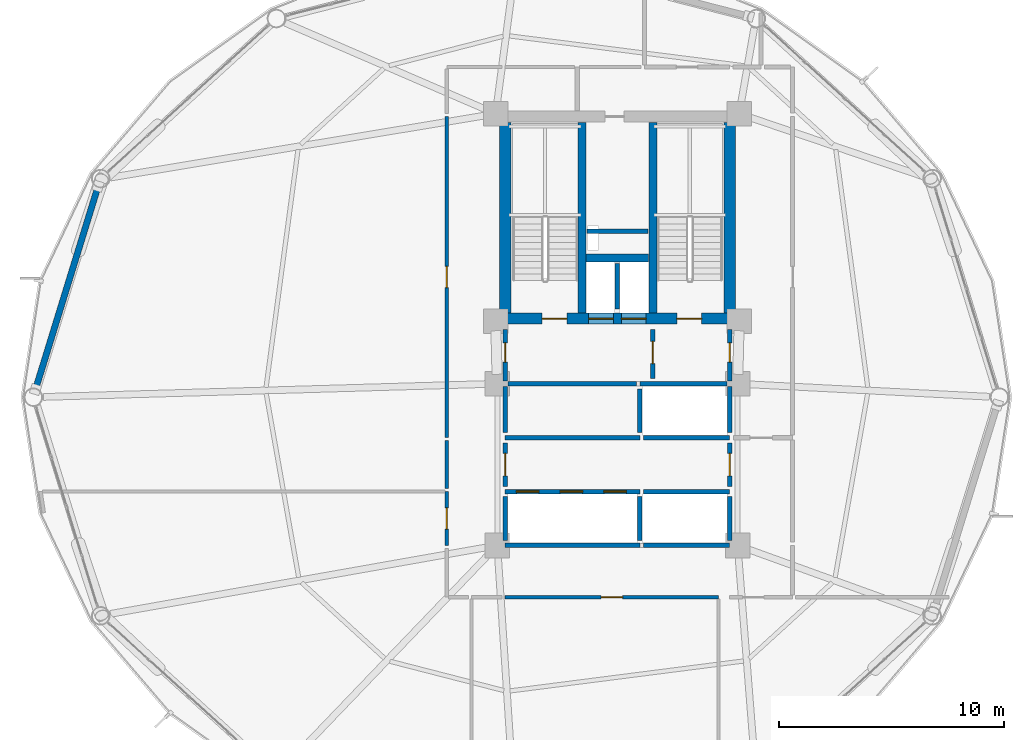
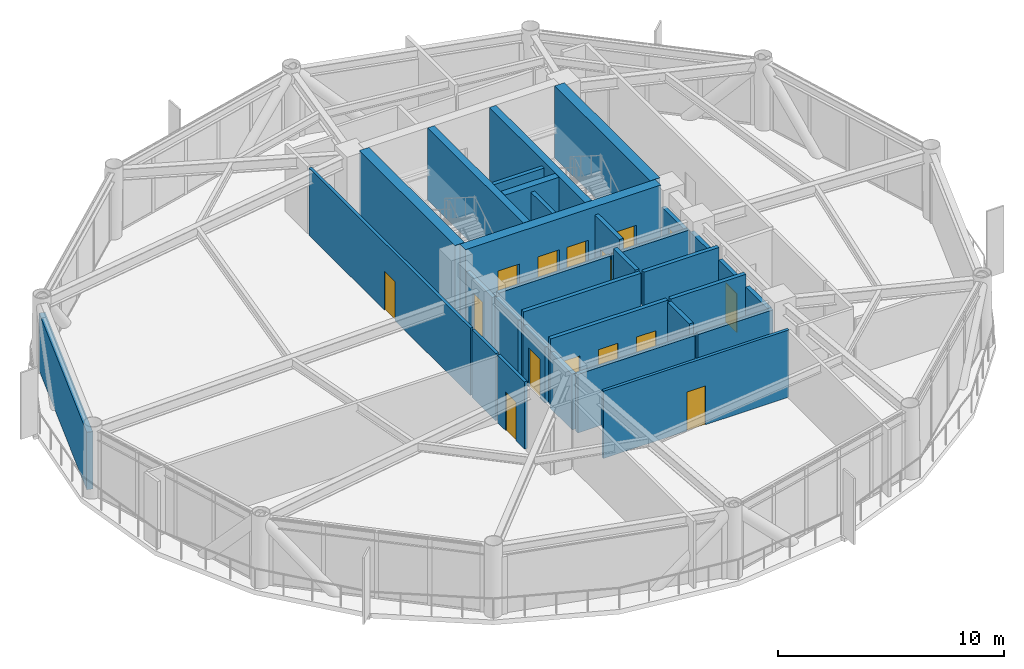
# One storey, part 19 of 23: 32 walls, 15 doors, 15 openings.
"""IFC4 building model written with IfcOpenShell, lengths in metres."""

from ifc_helpers import new_model, si_unit, direction, frame, frame_2d, origin, place, context, subcontext, project, spatial, rectangle, extrude, material, layer, layer_set, type_object, element, fill, save


model = new_model("IFC4")

# Units and contexts
model_context = context("Model", 3, precision=1e-05, world=origin(), true_north=direction((0.0, 1.0)))
body_context = subcontext(model_context, "Body", "Model", "MODEL_VIEW")
ifc_project = project(units=[si_unit("LENGTHUNIT", "METRE"), si_unit("AREAUNIT", "SQUARE_METRE"), si_unit("VOLUMEUNIT", "CUBIC_METRE"), si_unit("PLANEANGLEUNIT", "RADIAN"), si_unit("MASSUNIT", "GRAM", prefix="KILO")], contexts=[model_context])

# Site, building, storey
site_placement = place(None, origin())
site = spatial("IfcSite", under=ifc_project, at=site_placement, CompositionType="ELEMENT")
building_placement = place(site_placement, origin())
building = spatial("IfcBuilding", under=site, at=building_placement, Name="Varnakorn Sky Granary", CompositionType="ELEMENT")
storey_placement = place(building_placement, frame((0.0, 0.0, 107.10009765625)))
storey = spatial("IfcBuildingStorey", under=building, at=storey_placement, Name="L26", CompositionType="ELEMENT", Elevation=107.10009765625)

# Walls
ifc_material_1 = material(Name="Concrete C50/60", Category="concrete")
ifc_layer_1 = layer(ifc_material_1, 0.35009765625, Name="Concrete C50/60")
ifc_layer_set_1 = layer_set([ifc_layer_1], Name="Concrete C50/60")
wall_type_1 = type_object("IfcWallType", Name="WT-CW-INT-350", PredefinedType="SHEAR", material=ifc_layer_set_1)
for number, where, z_axis, x_axis, name in (
    (1, (1.419921875, 3.760009765625, 0.0), (0.0, 0.0, 1.0), (0.0, 1.0, 0.0), "Stair ST-1 Core Wall L26"),
    (2, (4.580078125, 3.760009765625, 0.0), (0.0, 0.0, 1.0), (0.0, 1.0, 0.0), "Stair ST-2 Core Wall L26"),
):
    element("IfcWall", number, at=place(storey_placement, frame(where, z_axis=z_axis, x_axis=x_axis)), inside=storey, type_object=wall_type_1, Name=name, PredefinedType="SHEAR", context=body_context, shape_type="SweptSolid", body=[
        extrude(rectangle(XDim=8.47998046875, YDim=0.35009765625, at=frame_2d((4.239990234375, 0.0))), origin(), (0.0, 0.0, 1.0), 3.891845703125),
    ])
wall_1_placement = place(storey_placement, frame((1.610107421875, 6.199951171875, 0.0), z_axis=(0.0, 0.0, 1.0), x_axis=(1.0, 0.0, 0.0)))
element("IfcWall", 3, at=wall_1_placement, inside=storey, type_object=wall_type_1, Name="Core Lift Shaft Cross Wall L26", PredefinedType="SHEAR", context=body_context, shape_type="SweptSolid", body=[
    extrude(rectangle(XDim=2.77978515625, YDim=0.35009765625, at=frame_2d((1.389892578125, 0.0))), origin(), (0.0, 0.0, 1.0), 3.891845703125),
])

# Wall, openings, doors
ifc_material_2 = material(Name="Concrete C60/75", Category="concrete")
ifc_layer_2 = layer(ifc_material_2, 0.5, Name="Concrete C60/75")
ifc_layer_set_2 = layer_set([ifc_layer_2], Name="Concrete C60/75")
wall_type_2 = type_object("IfcWallType", Name="WT-CW-SHEAR-500", PredefinedType="SHEAR", material=ifc_layer_set_2)
wall_2_placement = place(storey_placement, frame((-2.0, 3.5, 0.0), z_axis=(0.0, 0.0, 1.0), x_axis=(1.0, 0.0, 0.0)))
wall_2 = element("IfcWall", 4, at=wall_2_placement, inside=storey, type_object=wall_type_2, Name="Core South Shear Wall L26", PredefinedType="SHEAR", context=body_context, shape_type="SweptSolid", body=[
    extrude(rectangle(XDim=10.0, YDim=0.5, at=frame_2d((5.0, 0.0))), origin(), (0.0, 0.0, 1.0), 3.891845703125),
])
opening_1_placement = place(wall_2_placement, frame((1.64990234375, 0.0, 0.0)))
opening_1 = element("IfcOpeningElement", 5, at=opening_1_placement, cuts=wall_2, Name="Opening FD-90", PredefinedType="OPENING", context=body_context, shape_type="SweptSolid", body=[
    extrude(rectangle(XDim=1.10009765625, YDim=2.14990234375, at=frame_2d((0.550048828125, 1.074951171875))), frame((0.0, 0.260009765625, 0.0), z_axis=(0.0, -1.0, 0.0), x_axis=(1.0, 0.0, 0.0)), (0.0, 0.0, 1.0), 0.52001953125),
])
opening_2_placement = place(wall_2_placement, frame((7.64990234375, 0.0, 0.0)))
opening_2 = element("IfcOpeningElement", 6, at=opening_2_placement, cuts=wall_2, Name="Opening FD-90", PredefinedType="OPENING", context=body_context, shape_type="SweptSolid", body=[
    extrude(rectangle(XDim=1.10009765625, YDim=2.14990234375, at=frame_2d((0.550048828125, 1.074951171875))), frame((0.0, 0.260009765625, 0.0), z_axis=(0.0, -1.0, 0.0), x_axis=(1.0, 0.0, 0.0)), (0.0, 0.0, 1.0), 0.52001953125),
])
opening_3_placement = place(wall_2_placement, frame((3.719970703125, 0.0, 0.0)))
opening_3 = element("IfcOpeningElement", 7, at=opening_3_placement, cuts=wall_2, Name="Opening LD-01", PredefinedType="OPENING", context=body_context, shape_type="SweptSolid", body=[
    extrude(rectangle(XDim=1.10009765625, YDim=2.199951171875, at=frame_2d((0.550048828125, 1.10009765625))), frame((0.0, 0.260009765625, 0.0), z_axis=(0.0, -1.0, 0.0), x_axis=(1.0, 0.0, 0.0)), (0.0, 0.0, 1.0), 0.52001953125),
])
opening_4_placement = place(wall_2_placement, frame((5.179931640625, 0.0, 0.0)))
opening_4 = element("IfcOpeningElement", 8, at=opening_4_placement, cuts=wall_2, Name="Opening LD-01", PredefinedType="OPENING", context=body_context, shape_type="SweptSolid", body=[
    extrude(rectangle(XDim=1.10009765625, YDim=2.199951171875, at=frame_2d((0.550048828125, 1.10009765625))), frame((0.0, 0.260009765625, 0.0), z_axis=(0.0, -1.0, 0.0), x_axis=(1.0, 0.0, 0.0)), (0.0, 0.0, 1.0), 0.52001953125),
])
ifc_material_3 = material(Name="Brushed Bronze Stainless Steel", Category="steel")
door_type_1 = type_object("IfcDoorType", Name="DR-LD-1100", OperationType="DOUBLE_DOOR_SLIDING", PredefinedType="DOOR", material=ifc_material_3)
door_1_placement = place(opening_3_placement, origin())
door_1 = element("IfcDoor", 9, at=door_1_placement, inside=storey, type_object=door_type_1, Name="Firefighting Lift FFL-1 Landing Door L26", OperationType="DOUBLE_DOOR_SLIDING", OverallHeight=2.199951171875, OverallWidth=1.10009765625, PredefinedType="DOOR", context=body_context, shape_type="SweptSolid", body=[
    extrude(rectangle(XDim=1.10009765625, YDim=2.199951171875, at=frame_2d((0.550048828125, 1.10009765625))), frame((0.0, 0.02490234375, 0.0), z_axis=(0.0, -1.0, 0.0), x_axis=(1.0, 0.0, 0.0)), (0.0, 0.0, 1.0), 0.050048828125),
])
fill(opening_3, door_1)
door_2_placement = place(opening_4_placement, origin())
door_2 = element("IfcDoor", 10, at=door_2_placement, inside=storey, type_object=door_type_1, Name="Firefighting Lift FFL-2 Landing Door L26", OperationType="DOUBLE_DOOR_SLIDING", OverallHeight=2.199951171875, OverallWidth=1.10009765625, PredefinedType="DOOR", context=body_context, shape_type="SweptSolid", body=[
    extrude(rectangle(XDim=1.10009765625, YDim=2.199951171875, at=frame_2d((0.550048828125, 1.10009765625))), frame((0.0, 0.02490234375, 0.0), z_axis=(0.0, -1.0, 0.0), x_axis=(1.0, 0.0, 0.0)), (0.0, 0.0, 1.0), 0.050048828125),
])
fill(opening_4, door_2)
ifc_material_4 = material(Name="Galvanised Painted Steel Leaf", Category="steel")
door_type_2 = type_object("IfcDoorType", Name="DR-STAIR-1100", OperationType="NOTDEFINED", PredefinedType="DOOR", material=ifc_material_4)
door_3_placement = place(opening_1_placement, origin())
door_3 = element("IfcDoor", 11, at=door_3_placement, inside=storey, type_object=door_type_2, Name="Stair ST-1 Protected Fire Door L26", OperationType="SINGLE_SWING_LEFT", OverallHeight=2.14990234375, OverallWidth=1.10009765625, PredefinedType="DOOR", context=body_context, shape_type="SweptSolid", body=[
    extrude(rectangle(XDim=1.10009765625, YDim=2.14990234375, at=frame_2d((0.550048828125, 1.074951171875))), frame((0.0, 0.02490234375, 0.0), z_axis=(0.0, -1.0, 0.0), x_axis=(1.0, 0.0, 0.0)), (0.0, 0.0, 1.0), 0.050048828125),
])
fill(opening_1, door_3)
door_4_placement = place(opening_2_placement, origin())
door_4 = element("IfcDoor", 12, at=door_4_placement, inside=storey, type_object=door_type_2, Name="Stair ST-2 Protected Fire Door L26", OperationType="SINGLE_SWING_RIGHT", OverallHeight=2.14990234375, OverallWidth=1.10009765625, PredefinedType="DOOR", context=body_context, shape_type="SweptSolid", body=[
    extrude(rectangle(XDim=1.10009765625, YDim=2.14990234375, at=frame_2d((0.550048828125, 1.074951171875))), frame((0.0, 0.02490234375, 0.0), z_axis=(0.0, -1.0, 0.0), x_axis=(1.0, 0.0, 0.0)), (0.0, 0.0, 1.0), 0.050048828125),
])
fill(opening_2, door_4)

# Walls
for number, where, z_axis, x_axis, name in (
    (13, (-2.0, 3.760009765625, 0.0), (0.0, 0.0, 1.0), (0.0, 1.0, 0.0), "Core West Shear Wall L26"),
    (14, (8.0, 3.760009765625, 0.0), (0.0, 0.0, 1.0), (0.0, 1.0, 0.0), "Core East Shear Wall L26"),
):
    element("IfcWall", number, at=place(storey_placement, frame(where, z_axis=z_axis, x_axis=x_axis)), inside=storey, type_object=wall_type_2, Name=name, PredefinedType="SHEAR", context=body_context, shape_type="SweptSolid", body=[
        extrude(rectangle(XDim=8.47998046875, YDim=0.5, at=frame_2d((4.239990234375, 0.0))), origin(), (0.0, 0.0, 1.0), 3.891845703125),
    ])
ifc_material_5 = material(Name="Precast concrete C40/50", Category="concrete")
ifc_layer_3 = layer(ifc_material_5, 0.280029296875, Name="Precast concrete C40/50")
ifc_layer_set_3 = layer_set([ifc_layer_3], Name="Precast concrete C40/50")
wall_type_3 = type_object("IfcWallType", Name="WT-EW-CRN-280", PredefinedType="SOLIDWALL", material=ifc_layer_set_3)
wall_3_placement = place(storey_placement, frame((-22.91064453125, 0.345458984375, 0.0), z_axis=(0.0, 0.0, 1.0), x_axis=(0.294373967966, 0.95569030914, 0.0)))
element("IfcWall", 15, at=wall_3_placement, inside=storey, type_object=wall_type_3, Name="Agritech Insulated Precast Facade Wall L26-P06", PredefinedType="SOLIDWALL", context=body_context, shape_type="SweptSolid", body=[
    extrude(rectangle(XDim=9.467041015625, YDim=0.280029296875, at=frame_2d((4.7333984375, 0.0))), origin(), (0.0, 0.0, 1.0), 3.10986328125),
])

# Wall, opening, door
ifc_material_6 = material(Name="Autoclaved Aerated Concrete Blockwork", Category="masonry")
ifc_layer_4 = layer(ifc_material_6, 0.199951171875, Name="Autoclaved Aerated Concrete Blockwork")
ifc_layer_set_4 = layer_set([ifc_layer_4], Name="Autoclaved Aerated Concrete Blockwork")
wall_type_4 = type_object("IfcWallType", Name="WT-FIRE-200", PredefinedType="MOVABLE", material=ifc_layer_set_4)
wall_4_placement = place(storey_placement, frame((4.580078125, 0.830078125, 0.0), z_axis=(0.0, 0.0, 1.0), x_axis=(0.0, 1.0, 0.0)))
wall_4 = element("IfcWall", 16, at=wall_4_placement, inside=storey, type_object=wall_type_4, Name="Interior Partition Wall L26-016", PredefinedType="MOVABLE", context=body_context, shape_type="SweptSolid", body=[
    extrude(rectangle(XDim=2.18994140625, YDim=0.199951171875, at=frame_2d((1.094970703125, 0.0))), origin(), (0.0, 0.0, 1.0), 3.639892578125),
])
opening_5_placement = place(wall_4_placement, frame((0.659912109375, 0.0, 0.0)))
opening_5 = element("IfcOpeningElement", 17, at=opening_5_placement, cuts=wall_4, Name="Opening FD-60", PredefinedType="OPENING", context=body_context, shape_type="SweptSolid", body=[
    extrude(rectangle(XDim=1.0, YDim=2.10009765625, at=frame_2d((0.5, 1.050048828125))), frame((0.0, 0.10986328125, 0.0), z_axis=(0.0, -1.0, 0.0), x_axis=(1.0, 0.0, 0.0)), (0.0, 0.0, 1.0), 0.219970703125),
])
ifc_material_7 = material(Name="Acoustic Timber Fire Leaf", Category="wood")
door_type_3 = type_object("IfcDoorType", Name="DR-FD60-1000", OperationType="NOTDEFINED", PredefinedType="DOOR", material=ifc_material_7)
door_5_placement = place(opening_5_placement, origin())
door_5 = element("IfcDoor", 18, at=door_5_placement, inside=storey, type_object=door_type_3, Name="Interior Door L26-016-1", OperationType="SINGLE_SWING_RIGHT", OverallHeight=2.10009765625, OverallWidth=1.0, PredefinedType="DOOR", context=body_context, shape_type="SweptSolid", body=[
    extrude(rectangle(XDim=1.0, YDim=2.10009765625, at=frame_2d((0.5, 1.050048828125))), frame((0.0, 0.02490234375, 0.0), z_axis=(0.0, -1.0, 0.0), x_axis=(1.0, 0.0, 0.0)), (0.0, 0.0, 1.0), 0.050048828125),
])
fill(opening_5, door_5)

wall_5_placement = place(storey_placement, frame((-2.0, 0.719970703125, 0.0), z_axis=(0.0, 0.0, 1.0), x_axis=(0.0, 1.0, 0.0)))
wall_5 = element("IfcWall", 19, at=wall_5_placement, inside=storey, type_object=wall_type_4, Name="Interior Partition Wall L26-017", PredefinedType="MOVABLE", context=body_context, shape_type="SweptSolid", body=[
    extrude(rectangle(XDim=2.300048828125, YDim=0.199951171875, at=frame_2d((1.14990234375, 0.0))), origin(), (0.0, 0.0, 1.0), 2.871826171875),
])
opening_6_placement = place(wall_5_placement, frame((0.844970703125, 0.0, 0.0)))
opening_6 = element("IfcOpeningElement", 20, at=opening_6_placement, cuts=wall_5, Name="Opening FD-60N", PredefinedType="OPENING", context=body_context, shape_type="SweptSolid", body=[
    extrude(rectangle(XDim=0.85009765625, YDim=2.10009765625, at=frame_2d((0.425048828125, 1.050048828125))), frame((0.0, 0.10986328125, 0.0), z_axis=(0.0, -1.0, 0.0), x_axis=(1.0, 0.0, 0.0)), (0.0, 0.0, 1.0), 0.219970703125),
])
door_type_4 = type_object("IfcDoorType", Name="DR-FD60-850", OperationType="NOTDEFINED", PredefinedType="DOOR", material=ifc_material_7)
door_6_placement = place(opening_6_placement, origin())
door_6 = element("IfcDoor", 21, at=door_6_placement, inside=storey, type_object=door_type_4, Name="Interior Door L26-017-1", OperationType="SINGLE_SWING_LEFT", OverallHeight=2.10009765625, OverallWidth=0.85009765625, PredefinedType="DOOR", context=body_context, shape_type="SweptSolid", body=[
    extrude(rectangle(XDim=0.85009765625, YDim=2.10009765625, at=frame_2d((0.425048828125, 1.050048828125))), frame((0.0, 0.02490234375, 0.0), z_axis=(0.0, -1.0, 0.0), x_axis=(1.0, 0.0, 0.0)), (0.0, 0.0, 1.0), 0.050048828125),
])
fill(opening_6, door_6)

wall_6_placement = place(storey_placement, frame((8.0, 0.719970703125, 0.0), z_axis=(0.0, 0.0, 1.0), x_axis=(0.0, 1.0, 0.0)))
wall_6 = element("IfcWall", 22, at=wall_6_placement, inside=storey, type_object=wall_type_4, Name="Interior Partition Wall L26-018", PredefinedType="MOVABLE", context=body_context, shape_type="SweptSolid", body=[
    extrude(rectangle(XDim=2.300048828125, YDim=0.199951171875, at=frame_2d((1.14990234375, 0.0))), origin(), (0.0, 0.0, 1.0), 2.871826171875),
])
opening_7_placement = place(wall_6_placement, frame((0.844970703125, 0.0, 0.0)))
opening_7 = element("IfcOpeningElement", 23, at=opening_7_placement, cuts=wall_6, Name="Opening FD-60N", PredefinedType="OPENING", context=body_context, shape_type="SweptSolid", body=[
    extrude(rectangle(XDim=0.85009765625, YDim=2.10009765625, at=frame_2d((0.425048828125, 1.050048828125))), frame((0.0, 0.10986328125, 0.0), z_axis=(0.0, -1.0, 0.0), x_axis=(1.0, 0.0, 0.0)), (0.0, 0.0, 1.0), 0.219970703125),
])
door_7_placement = place(opening_7_placement, origin())
door_7 = element("IfcDoor", 24, at=door_7_placement, inside=storey, type_object=door_type_4, Name="Interior Door L26-018-1", OperationType="SINGLE_SWING_RIGHT", OverallHeight=2.10009765625, OverallWidth=0.85009765625, PredefinedType="DOOR", context=body_context, shape_type="SweptSolid", body=[
    extrude(rectangle(XDim=0.85009765625, YDim=2.10009765625, at=frame_2d((0.425048828125, 1.050048828125))), frame((0.0, 0.02490234375, 0.0), z_axis=(0.0, -1.0, 0.0), x_axis=(1.0, 0.0, 0.0)), (0.0, 0.0, 1.0), 0.050048828125),
])
fill(opening_7, door_7)

wall_7_placement = place(storey_placement, frame((-2.0, -3.969970703125, 0.0), z_axis=(0.0, 0.0, 1.0), x_axis=(0.0, 1.0, 0.0)))
wall_7 = element("IfcWall", 25, at=wall_7_placement, inside=storey, type_object=wall_type_4, Name="Interior Partition Wall L26-019", PredefinedType="MOVABLE", context=body_context, shape_type="SweptSolid", body=[
    extrude(rectangle(XDim=1.93994140625, YDim=0.199951171875, at=frame_2d((0.969970703125, 0.0))), origin(), (0.0, 0.0, 1.0), 3.02197265625),
])
opening_8_placement = place(wall_7_placement, frame((0.469970703125, 0.0, 0.0)))
opening_8 = element("IfcOpeningElement", 26, at=opening_8_placement, cuts=wall_7, Name="Opening FD-60", PredefinedType="OPENING", context=body_context, shape_type="SweptSolid", body=[
    extrude(rectangle(XDim=1.0, YDim=2.10009765625, at=frame_2d((0.5, 1.050048828125))), frame((0.0, 0.10986328125, 0.0), z_axis=(0.0, -1.0, 0.0), x_axis=(1.0, 0.0, 0.0)), (0.0, 0.0, 1.0), 0.219970703125),
])
door_8_placement = place(opening_8_placement, origin())
door_8 = element("IfcDoor", 27, at=door_8_placement, inside=storey, type_object=door_type_3, Name="Interior Door L26-019-1", OperationType="SINGLE_SWING_LEFT", OverallHeight=2.10009765625, OverallWidth=1.0, PredefinedType="DOOR", context=body_context, shape_type="SweptSolid", body=[
    extrude(rectangle(XDim=1.0, YDim=2.10009765625, at=frame_2d((0.5, 1.050048828125))), frame((0.0, 0.02490234375, 0.0), z_axis=(0.0, -1.0, 0.0), x_axis=(1.0, 0.0, 0.0)), (0.0, 0.0, 1.0), 0.050048828125),
])
fill(opening_8, door_8)

wall_8_placement = place(storey_placement, frame((8.0, -3.969970703125, 0.0), z_axis=(0.0, 0.0, 1.0), x_axis=(0.0, 1.0, 0.0)))
wall_8 = element("IfcWall", 28, at=wall_8_placement, inside=storey, type_object=wall_type_4, Name="Interior Partition Wall L26-020", PredefinedType="MOVABLE", context=body_context, shape_type="SweptSolid", body=[
    extrude(rectangle(XDim=1.93994140625, YDim=0.199951171875, at=frame_2d((0.969970703125, 0.0))), origin(), (0.0, 0.0, 1.0), 3.072021484375),
])
opening_9_placement = place(wall_8_placement, frame((0.469970703125, 0.0, 0.0)))
opening_9 = element("IfcOpeningElement", 29, at=opening_9_placement, cuts=wall_8, Name="Opening FD-60", PredefinedType="OPENING", context=body_context, shape_type="SweptSolid", body=[
    extrude(rectangle(XDim=1.0, YDim=2.10009765625, at=frame_2d((0.5, 1.050048828125))), frame((0.0, 0.10986328125, 0.0), z_axis=(0.0, -1.0, 0.0), x_axis=(1.0, 0.0, 0.0)), (0.0, 0.0, 1.0), 0.219970703125),
])
door_9_placement = place(opening_9_placement, origin())
door_9 = element("IfcDoor", 30, at=door_9_placement, inside=storey, type_object=door_type_3, Name="Interior Door L26-020-1", OperationType="SINGLE_SWING_RIGHT", OverallHeight=2.10009765625, OverallWidth=1.0, PredefinedType="DOOR", context=body_context, shape_type="SweptSolid", body=[
    extrude(rectangle(XDim=1.0, YDim=2.10009765625, at=frame_2d((0.5, 1.050048828125))), frame((0.0, 0.02490234375, 0.0), z_axis=(0.0, -1.0, 0.0), x_axis=(1.0, 0.0, 0.0)), (0.0, 0.0, 1.0), 0.050048828125),
])
fill(opening_9, door_9)

# Wall
wall_9_placement = place(storey_placement, frame((-1.8798828125, 0.60009765625, 0.0), z_axis=(0.0, 0.0, 1.0), x_axis=(1.0, 0.0, 0.0)))
element("IfcWall", 31, at=wall_9_placement, inside=storey, type_object=wall_type_4, Name="Interior Partition Wall L26-028", PredefinedType="MOVABLE", context=body_context, shape_type="SweptSolid", body=[
    extrude(rectangle(XDim=5.719970703125, YDim=0.199951171875, at=frame_2d((2.85986328125, 0.0))), origin(), (0.0, 0.0, 1.0), 3.171875),
])

# Wall, opening, door
ifc_material_8 = material(Name="Gypsum Plasterboard on Steel Stud", Category="steel")
ifc_layer_5 = layer(ifc_material_8, 0.14990234375, Name="Gypsum Plasterboard on Steel Stud")
ifc_layer_set_5 = layer_set([ifc_layer_5], Name="Gypsum Plasterboard on Steel Stud")
wall_type_5 = type_object("IfcWallType", Name="WT-PART-150", PredefinedType="PARTITIONING", material=ifc_layer_set_5)
wall_10_placement = place(storey_placement, frame((-2.0, -8.89990234375, 0.0), z_axis=(0.0, 0.0, 1.0), x_axis=(1.0, 0.0, 0.0)))
wall_10 = element("IfcWall", 32, at=wall_10_placement, inside=storey, type_object=wall_type_5, Name="Interior Partition Wall L26-023", PredefinedType="PARTITIONING", context=body_context, shape_type="SweptSolid", body=[
    extrude(rectangle(XDim=9.5, YDim=0.14990234375, at=frame_2d((4.75, 0.0))), origin(), (0.0, 0.0, 1.0), 3.639892578125),
])
opening_10_placement = place(wall_10_placement, frame((4.27490234375, 0.0, 0.0)))
opening_10 = element("IfcOpeningElement", 33, at=opening_10_placement, cuts=wall_10, Name="Opening ID-95", PredefinedType="OPENING", context=body_context, shape_type="SweptSolid", body=[
    extrude(rectangle(XDim=0.949951171875, YDim=2.10009765625, at=frame_2d((0.47509765625, 1.050048828125))), frame((0.0, 0.0849609375, 0.0), z_axis=(0.0, -1.0, 0.0), x_axis=(1.0, 0.0, 0.0)), (0.0, 0.0, 1.0), 0.169921875),
])
ifc_material_9 = material(Name="Solid-Core Teak Veneer Leaf", Category="timber")
door_type_5 = type_object("IfcDoorType", Name="DR-INT-950", OperationType="NOTDEFINED", PredefinedType="DOOR", material=ifc_material_9)
door_10_placement = place(opening_10_placement, origin())
door_10 = element("IfcDoor", 34, at=door_10_placement, inside=storey, type_object=door_type_5, Name="Interior Door L26-023-1", OperationType="SINGLE_SWING_LEFT", OverallHeight=2.10009765625, OverallWidth=0.949951171875, PredefinedType="DOOR", context=body_context, shape_type="SweptSolid", body=[
    extrude(rectangle(XDim=0.949951171875, YDim=2.10009765625, at=frame_2d((0.47509765625, 1.050048828125))), frame((0.0, 0.02490234375, 0.0), z_axis=(0.0, -1.0, 0.0), x_axis=(1.0, 0.0, 0.0)), (0.0, 0.0, 1.0), 0.050048828125),
])
fill(opening_10, door_10)

wall_11_placement = place(storey_placement, frame((-4.60009765625, -4.199951171875, 0.0), z_axis=(0.0, 0.0, 1.0), x_axis=(0.0, -1.0, 0.0)))
wall_11 = element("IfcWall", 35, at=wall_11_placement, inside=storey, type_object=wall_type_5, Name="Interior Partition Wall L26-025", PredefinedType="PARTITIONING", context=body_context, shape_type="SweptSolid", body=[
    extrude(rectangle(XDim=2.400146484375, YDim=0.14990234375, at=frame_2d((1.2001953125, 0.0))), origin(), (0.0, 0.0, 1.0), 3.639892578125),
])
opening_11_placement = place(wall_11_placement, frame((0.72509765625, 0.0, 0.0)))
opening_11 = element("IfcOpeningElement", 36, at=opening_11_placement, cuts=wall_11, Name="Opening ID-95", PredefinedType="OPENING", context=body_context, shape_type="SweptSolid", body=[
    extrude(rectangle(XDim=0.949951171875, YDim=2.10009765625, at=frame_2d((0.47509765625, 1.050048828125))), frame((0.0, 0.0849609375, 0.0), z_axis=(0.0, -1.0, 0.0), x_axis=(1.0, 0.0, 0.0)), (0.0, 0.0, 1.0), 0.169921875),
])
door_11_placement = place(opening_11_placement, origin())
door_11 = element("IfcDoor", 37, at=door_11_placement, inside=storey, type_object=door_type_5, Name="Interior Door L26-025-1", OperationType="SINGLE_SWING_LEFT", OverallHeight=2.10009765625, OverallWidth=0.949951171875, PredefinedType="DOOR", context=body_context, shape_type="SweptSolid", body=[
    extrude(rectangle(XDim=0.949951171875, YDim=2.10009765625, at=frame_2d((0.47509765625, 1.050048828125))), frame((0.0, 0.02490234375, 0.0), z_axis=(0.0, -1.0, 0.0), x_axis=(1.0, 0.0, 0.0)), (0.0, 0.0, 1.0), 0.050048828125),
])
fill(opening_11, door_11)

wall_12_placement = place(storey_placement, frame((-4.60009765625, 12.5, 0.0), z_axis=(0.0, 0.0, 1.0), x_axis=(0.0, -1.0, 0.0)))
wall_12 = element("IfcWall", 38, at=wall_12_placement, inside=storey, type_object=wall_type_5, Name="Interior Partition Wall L26-026", PredefinedType="PARTITIONING", context=body_context, shape_type="SweptSolid", body=[
    extrude(rectangle(XDim=14.300048828125, YDim=0.14990234375, at=frame_2d((7.14990234375, 0.0))), origin(), (0.0, 0.0, 1.0), 3.639892578125),
])
opening_12_placement = place(wall_12_placement, frame((6.675048828125, 0.0, 0.0)))
opening_12 = element("IfcOpeningElement", 39, at=opening_12_placement, cuts=wall_12, Name="Opening ID-95", PredefinedType="OPENING", context=body_context, shape_type="SweptSolid", body=[
    extrude(rectangle(XDim=0.949951171875, YDim=2.10009765625, at=frame_2d((0.47509765625, 1.050048828125))), frame((0.0, 0.0849609375, 0.0), z_axis=(0.0, -1.0, 0.0), x_axis=(1.0, 0.0, 0.0)), (0.0, 0.0, 1.0), 0.169921875),
])
door_12_placement = place(opening_12_placement, origin())
door_12 = element("IfcDoor", 40, at=door_12_placement, inside=storey, type_object=door_type_5, Name="Interior Door L26-026-1", OperationType="SINGLE_SWING_RIGHT", OverallHeight=2.10009765625, OverallWidth=0.949951171875, PredefinedType="DOOR", context=body_context, shape_type="SweptSolid", body=[
    extrude(rectangle(XDim=0.949951171875, YDim=2.10009765625, at=frame_2d((0.47509765625, 1.050048828125))), frame((0.0, 0.02490234375, 0.0), z_axis=(0.0, -1.0, 0.0), x_axis=(1.0, 0.0, 0.0)), (0.0, 0.0, 1.0), 0.050048828125),
])
fill(opening_12, door_12)

# Walls
wall_13_placement = place(storey_placement, frame((-4.60009765625, -1.93505859375, 0.0), z_axis=(0.0, 0.0, 1.0), x_axis=(0.0, -1.0, 0.0)))
element("IfcWall", 41, at=wall_13_placement, inside=storey, type_object=wall_type_5, Name="Interior Partition Wall L26-041", PredefinedType="PARTITIONING", context=body_context, shape_type="SweptSolid", body=[
    extrude(rectangle(XDim=2.1298828125, YDim=0.14990234375, at=frame_2d((1.06494140625, 0.0))), origin(), (0.0, 0.0, 1.0), 3.639892578125),
])
ifc_layer_6 = layer(ifc_material_6, 0.199951171875, Name="Autoclaved Aerated Concrete Blockwork")
ifc_layer_set_6 = layer_set([ifc_layer_6], Name="Autoclaved Aerated Concrete Blockwork")
wall_type_6 = type_object("IfcWallType", Name="WT-SHAFT-200", PredefinedType="SOLIDWALL", material=ifc_layer_set_6)
wall_14_placement = place(storey_placement, frame((3.0, 3.919921875, 0.0), z_axis=(0.0, 0.0, 1.0), x_axis=(0.0, 1.0, 0.0)))
element("IfcWall", 42, at=wall_14_placement, inside=storey, type_object=wall_type_6, Name="Interior Partition Wall L26-001", PredefinedType="SOLIDWALL", context=body_context, shape_type="SweptSolid", body=[
    extrude(rectangle(XDim=2.030029296875, YDim=0.199951171875, at=frame_2d((1.01513671875, 0.0))), origin(), (0.0, 0.0, 1.0), 3.639892578125),
])
wall_15_placement = place(storey_placement, frame((1.64990234375, 7.3798828125, 0.0), z_axis=(0.0, 0.0, 1.0), x_axis=(1.0, 0.0, 0.0)))
element("IfcWall", 43, at=wall_15_placement, inside=storey, type_object=wall_type_6, Name="Interior Partition Wall L26-002", PredefinedType="SOLIDWALL", context=body_context, shape_type="SweptSolid", body=[
    extrude(rectangle(XDim=2.7001953125, YDim=0.199951171875, at=frame_2d((1.35009765625, 0.0))), origin(), (0.0, 0.0, 1.0), 3.639892578125),
])
wall_16_placement = place(storey_placement, frame((4.0, 0.60009765625, 0.0), z_axis=(0.0, 0.0, 1.0), x_axis=(1.0, 0.0, 0.0)))
element("IfcWall", 44, at=wall_16_placement, inside=storey, type_object=wall_type_6, Name="Interior Partition Wall L26-003", PredefinedType="SOLIDWALL", context=body_context, shape_type="SweptSolid", body=[
    extrude(rectangle(XDim=3.8798828125, YDim=0.199951171875, at=frame_2d((1.93994140625, 0.0))), origin(), (0.0, 0.0, 1.0), 3.171875),
])
wall_17_placement = place(storey_placement, frame((-2.0, -1.800048828125, 0.0), z_axis=(0.0, 0.0, 1.0), x_axis=(1.0, 0.0, 0.0)))
element("IfcWall", 45, at=wall_17_placement, inside=storey, type_object=wall_type_6, Name="Interior Partition Wall L26-004", PredefinedType="SOLIDWALL", context=body_context, shape_type="SweptSolid", body=[
    extrude(rectangle(XDim=6.0, YDim=0.199951171875, at=frame_2d((3.0, 0.0))), origin(), (0.0, 0.0, 1.0), 3.639892578125),
])
wall_18_placement = place(storey_placement, frame((-2.0, -1.570068359375, 0.0), z_axis=(0.0, 0.0, 1.0), x_axis=(0.0, 1.0, 0.0)))
element("IfcWall", 46, at=wall_18_placement, inside=storey, type_object=wall_type_6, Name="Interior Partition Wall L26-005", PredefinedType="SOLIDWALL", context=body_context, shape_type="SweptSolid", body=[
    extrude(rectangle(XDim=2.050048828125, YDim=0.199951171875, at=frame_2d((1.02490234375, 0.0))), origin(), (0.0, 0.0, 1.0), 3.02197265625),
])
wall_19_placement = place(storey_placement, frame((4.159912109375, -1.800048828125, 0.0), z_axis=(0.0, 0.0, 1.0), x_axis=(1.0, 0.0, 0.0)))
element("IfcWall", 47, at=wall_19_placement, inside=storey, type_object=wall_type_6, Name="Interior Partition Wall L26-006", PredefinedType="SOLIDWALL", context=body_context, shape_type="SweptSolid", body=[
    extrude(rectangle(XDim=3.840087890625, YDim=0.199951171875, at=frame_2d((1.919921875, 0.0))), origin(), (0.0, 0.0, 1.0), 3.639892578125),
])
wall_20_placement = place(storey_placement, frame((4.0, -1.570068359375, 0.0), z_axis=(0.0, 0.0, 1.0), x_axis=(0.0, 1.0, 0.0)))
element("IfcWall", 48, at=wall_20_placement, inside=storey, type_object=wall_type_6, Name="Interior Partition Wall L26-007", PredefinedType="SOLIDWALL", context=body_context, shape_type="SweptSolid", body=[
    extrude(rectangle(XDim=1.940185546875, YDim=0.199951171875, at=frame_2d((0.97021484375, 0.0))), origin(), (0.0, 0.0, 1.0), 3.639892578125),
])
wall_21_placement = place(storey_placement, frame((8.0, -1.570068359375, 0.0), z_axis=(0.0, 0.0, 1.0), x_axis=(0.0, 1.0, 0.0)))
element("IfcWall", 49, at=wall_21_placement, inside=storey, type_object=wall_type_6, Name="Interior Partition Wall L26-008", PredefinedType="SOLIDWALL", context=body_context, shape_type="SweptSolid", body=[
    extrude(rectangle(XDim=2.050048828125, YDim=0.199951171875, at=frame_2d((1.02490234375, 0.0))), origin(), (0.0, 0.0, 1.0), 3.072021484375),
])

# Wall, openings, doors
wall_22_placement = place(storey_placement, frame((-2.0, -4.199951171875, 0.0), z_axis=(0.0, 0.0, 1.0), x_axis=(1.0, 0.0, 0.0)))
wall_22 = element("IfcWall", 50, at=wall_22_placement, inside=storey, type_object=wall_type_6, Name="Interior Partition Wall L26-009", PredefinedType="SOLIDWALL", context=body_context, shape_type="SweptSolid", body=[
    extrude(rectangle(XDim=6.0, YDim=0.199951171875, at=frame_2d((3.0, 0.0))), origin(), (0.0, 0.0, 1.0), 3.639892578125),
])
opening_13_placement = place(wall_22_placement, frame((0.5, 0.0, 0.0)))
opening_13 = element("IfcOpeningElement", 51, at=opening_13_placement, cuts=wall_22, Name="Opening LD-03", PredefinedType="OPENING", context=body_context, shape_type="SweptSolid", body=[
    extrude(rectangle(XDim=1.0, YDim=2.199951171875, at=frame_2d((0.5, 1.10009765625))), frame((0.0, 0.10986328125, 0.0), z_axis=(0.0, -1.0, 0.0), x_axis=(1.0, 0.0, 0.0)), (0.0, 0.0, 1.0), 0.219970703125),
])
opening_14_placement = place(wall_22_placement, frame((2.449951171875, 0.0, 0.0)))
opening_14 = element("IfcOpeningElement", 52, at=opening_14_placement, cuts=wall_22, Name="Opening LD-03", PredefinedType="OPENING", context=body_context, shape_type="SweptSolid", body=[
    extrude(rectangle(XDim=1.0, YDim=2.199951171875, at=frame_2d((0.5, 1.10009765625))), frame((0.0, 0.10986328125, 0.0), z_axis=(0.0, -1.0, 0.0), x_axis=(1.0, 0.0, 0.0)), (0.0, 0.0, 1.0), 0.219970703125),
])
opening_15_placement = place(wall_22_placement, frame((4.39990234375, 0.0, 0.0)))
opening_15 = element("IfcOpeningElement", 53, at=opening_15_placement, cuts=wall_22, Name="Opening LD-03", PredefinedType="OPENING", context=body_context, shape_type="SweptSolid", body=[
    extrude(rectangle(XDim=1.0, YDim=2.199951171875, at=frame_2d((0.5, 1.10009765625))), frame((0.0, 0.10986328125, 0.0), z_axis=(0.0, -1.0, 0.0), x_axis=(1.0, 0.0, 0.0)), (0.0, 0.0, 1.0), 0.219970703125),
])
door_type_6 = type_object("IfcDoorType", Name="DR-LD-1000", OperationType="DOUBLE_DOOR_SLIDING", PredefinedType="DOOR", material=ifc_material_3)
door_13_placement = place(opening_13_placement, origin())
door_13 = element("IfcDoor", 54, at=door_13_placement, inside=storey, type_object=door_type_6, Name="Passenger Lift PL-M1 Sliding Landing Door L26", OperationType="DOUBLE_DOOR_SLIDING", OverallHeight=2.199951171875, OverallWidth=1.0, PredefinedType="DOOR", context=body_context, shape_type="SweptSolid", body=[
    extrude(rectangle(XDim=1.0, YDim=2.199951171875, at=frame_2d((0.5, 1.10009765625))), frame((0.0, 0.02490234375, 0.0), z_axis=(0.0, -1.0, 0.0), x_axis=(1.0, 0.0, 0.0)), (0.0, 0.0, 1.0), 0.050048828125),
])
fill(opening_13, door_13)
door_14_placement = place(opening_14_placement, origin())
door_14 = element("IfcDoor", 55, at=door_14_placement, inside=storey, type_object=door_type_6, Name="Passenger Lift PL-M2 Sliding Landing Door L26", OperationType="DOUBLE_DOOR_SLIDING", OverallHeight=2.199951171875, OverallWidth=1.0, PredefinedType="DOOR", context=body_context, shape_type="SweptSolid", body=[
    extrude(rectangle(XDim=1.0, YDim=2.199951171875, at=frame_2d((0.5, 1.10009765625))), frame((0.0, 0.02490234375, 0.0), z_axis=(0.0, -1.0, 0.0), x_axis=(1.0, 0.0, 0.0)), (0.0, 0.0, 1.0), 0.050048828125),
])
fill(opening_14, door_14)
door_15_placement = place(opening_15_placement, origin())
door_15 = element("IfcDoor", 56, at=door_15_placement, inside=storey, type_object=door_type_6, Name="Passenger Lift PL-M3 Sliding Landing Door L26", OperationType="DOUBLE_DOOR_SLIDING", OverallHeight=2.199951171875, OverallWidth=1.0, PredefinedType="DOOR", context=body_context, shape_type="SweptSolid", body=[
    extrude(rectangle(XDim=1.0, YDim=2.199951171875, at=frame_2d((0.5, 1.10009765625))), frame((0.0, 0.02490234375, 0.0), z_axis=(0.0, -1.0, 0.0), x_axis=(1.0, 0.0, 0.0)), (0.0, 0.0, 1.0), 0.050048828125),
])
fill(opening_15, door_15)

# Walls
wall_23_placement = place(storey_placement, frame((-2.0, -6.60009765625, 0.0), z_axis=(0.0, 0.0, 1.0), x_axis=(1.0, 0.0, 0.0)))
element("IfcWall", 57, at=wall_23_placement, inside=storey, type_object=wall_type_6, Name="Interior Partition Wall L26-010", PredefinedType="SOLIDWALL", context=body_context, shape_type="SweptSolid", body=[
    extrude(rectangle(XDim=6.0, YDim=0.199951171875, at=frame_2d((3.0, 0.0))), origin(), (0.0, 0.0, 1.0), 3.171875),
])
wall_24_placement = place(storey_placement, frame((-2.0, -6.3701171875, 0.0), z_axis=(0.0, 0.0, 1.0), x_axis=(0.0, 1.0, 0.0)))
element("IfcWall", 58, at=wall_24_placement, inside=storey, type_object=wall_type_6, Name="Interior Partition Wall L26-011", PredefinedType="SOLIDWALL", context=body_context, shape_type="SweptSolid", body=[
    extrude(rectangle(XDim=1.940185546875, YDim=0.199951171875, at=frame_2d((0.97021484375, 0.0))), origin(), (0.0, 0.0, 1.0), 3.02197265625),
])
wall_25_placement = place(storey_placement, frame((4.159912109375, -4.199951171875, 0.0), z_axis=(0.0, 0.0, 1.0), x_axis=(1.0, 0.0, 0.0)))
element("IfcWall", 59, at=wall_25_placement, inside=storey, type_object=wall_type_6, Name="Interior Partition Wall L26-012", PredefinedType="SOLIDWALL", context=body_context, shape_type="SweptSolid", body=[
    extrude(rectangle(XDim=3.840087890625, YDim=0.199951171875, at=frame_2d((1.919921875, 0.0))), origin(), (0.0, 0.0, 1.0), 3.639892578125),
])
wall_26_placement = place(storey_placement, frame((4.159912109375, -6.60009765625, 0.0), z_axis=(0.0, 0.0, 1.0), x_axis=(1.0, 0.0, 0.0)))
element("IfcWall", 60, at=wall_26_placement, inside=storey, type_object=wall_type_6, Name="Interior Partition Wall L26-013", PredefinedType="SOLIDWALL", context=body_context, shape_type="SweptSolid", body=[
    extrude(rectangle(XDim=3.840087890625, YDim=0.199951171875, at=frame_2d((1.919921875, 0.0))), origin(), (0.0, 0.0, 1.0), 3.171875),
])
wall_27_placement = place(storey_placement, frame((4.0, -6.3701171875, 0.0), z_axis=(0.0, 0.0, 1.0), x_axis=(0.0, 1.0, 0.0)))
element("IfcWall", 61, at=wall_27_placement, inside=storey, type_object=wall_type_6, Name="Interior Partition Wall L26-014", PredefinedType="SOLIDWALL", context=body_context, shape_type="SweptSolid", body=[
    extrude(rectangle(XDim=1.940185546875, YDim=0.199951171875, at=frame_2d((0.97021484375, 0.0))), origin(), (0.0, 0.0, 1.0), 3.639892578125),
])
wall_28_placement = place(storey_placement, frame((8.0, -6.3701171875, 0.0), z_axis=(0.0, 0.0, 1.0), x_axis=(0.0, 1.0, 0.0)))
element("IfcWall", 62, at=wall_28_placement, inside=storey, type_object=wall_type_6, Name="Interior Partition Wall L26-015", PredefinedType="SOLIDWALL", context=body_context, shape_type="SweptSolid", body=[
    extrude(rectangle(XDim=1.940185546875, YDim=0.199951171875, at=frame_2d((0.97021484375, 0.0))), origin(), (0.0, 0.0, 1.0), 3.072021484375),
])

save(model, "model.ifc")
